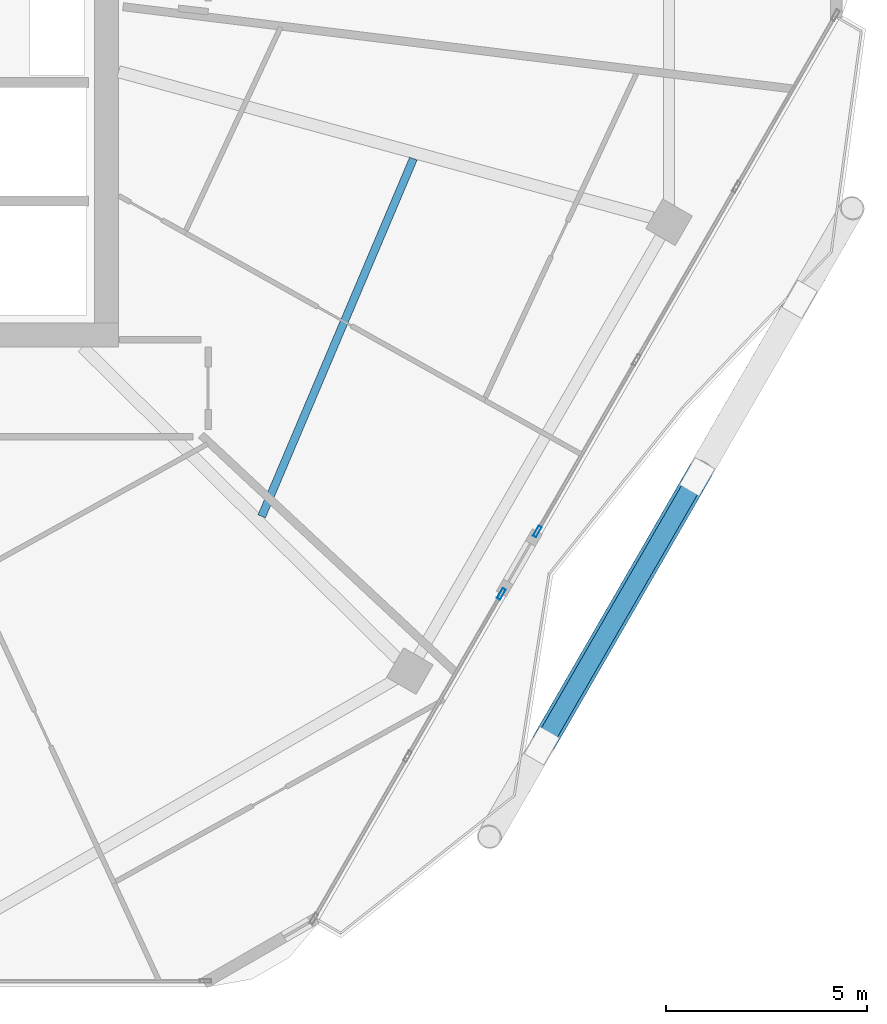
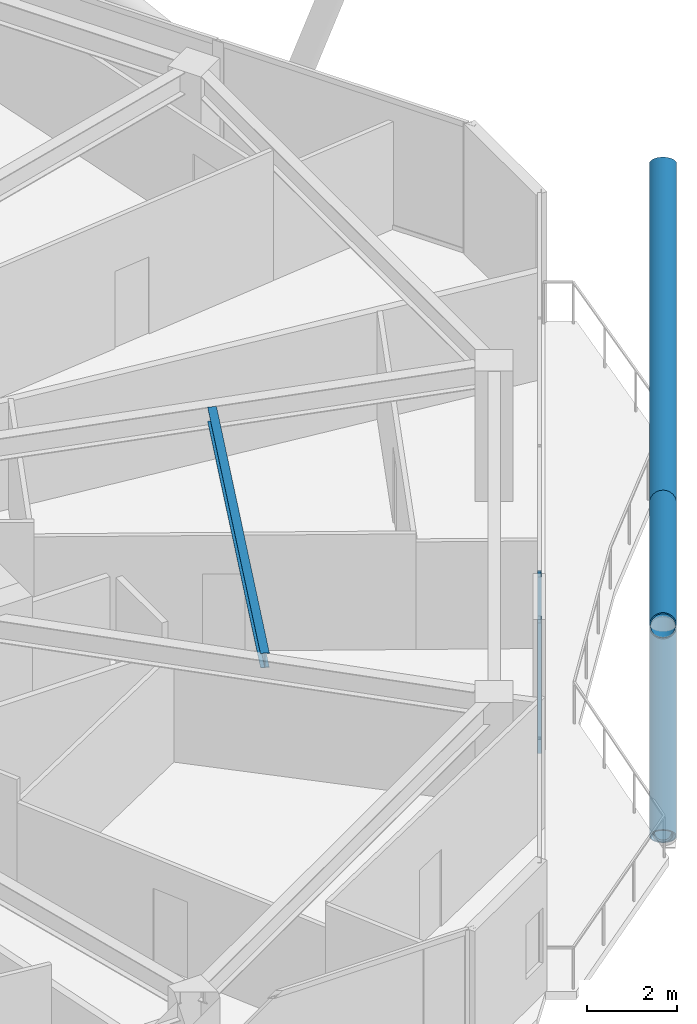
# One storey, part 9 of 29: 5 members, 1 beam, 2 elements without a shape of their own.
"""IFC4 building model written with IfcOpenShell, lengths in metres."""

from ifc_helpers import new_model, si_unit, direction, frame, origin, origin_2d, place, context, subcontext, project, spatial, hollow_rectangle, hollow_circle, i_section, extrude, material, material_profile, profile_set, type_object, element, aggregate, save


model = new_model("IFC4")

# Units and contexts
model_context = context("Model", 3, precision=1e-05, world=origin(), true_north=direction((0.0, 1.0)))
body_context = subcontext(model_context, "Body", "Model", "MODEL_VIEW")
ifc_project = project(units=[si_unit("LENGTHUNIT", "METRE"), si_unit("AREAUNIT", "SQUARE_METRE"), si_unit("VOLUMEUNIT", "CUBIC_METRE"), si_unit("PLANEANGLEUNIT", "RADIAN"), si_unit("MASSUNIT", "GRAM", prefix="KILO")], contexts=[model_context])

# Site, building, storey
site_placement = place(None, origin())
site = spatial("IfcSite", under=ifc_project, at=site_placement, CompositionType="ELEMENT")
building_placement = place(site_placement, origin())
building = spatial("IfcBuilding", under=site, at=building_placement, Name="Zuhravey Tower", CompositionType="ELEMENT")
storey_placement = place(building_placement, frame((0.0, 0.0, 269.199951171875)))
storey = spatial("IfcBuildingStorey", under=building, at=storey_placement, Name="L68", CompositionType="ELEMENT", Elevation=269.199951171875)

# Curtain wall, member
ifc_material_1 = material(Name="Thermally broken anodised aluminium", Category="aluminium")
curtain_wall_type = type_object("IfcCurtainWallType", Name="Zone 3-4 High-Rise Curtain Wall CW4", PredefinedType="NOTDEFINED", material=ifc_material_1)
curtain_wall_1_placement = place(storey_placement, origin())
curtain_wall_1 = element("IfcCurtainWall", 1, at=curtain_wall_1_placement, inside=storey, type_object=curtain_wall_type, Name="L68 CW4 CW-L68-F6-1", PredefinedType="NOTDEFINED")
ifc_material_2 = material(Name="Anodised aluminium", Category="aluminium")
ifc_material_profile_1 = material_profile(ifc_material_2, hollow_rectangle(XDim=0.090087890625, YDim=0.284912109375, WallThickness=0.0048828125, at=origin_2d()), Name="ALU-RHS-90x285x5")
ifc_profile_set_1 = profile_set([ifc_material_profile_1], Name="Anodised aluminium")
member_type_1 = type_object("IfcMemberType", Name="Curtain-Wall Mullion 90x180", PredefinedType="MULLION", material=ifc_profile_set_1)
member_1_placement = place(storey_placement, frame((57.21240234375, 17.613525390625, 0.0), z_axis=(0.0, 0.0, 1.0), x_axis=(0.866026101514, -0.499998791495, 0.0)))
member_1 = element("IfcMember", 2, at=member_1_placement, type_object=member_type_1, Name="CW4 mullion 4", PredefinedType="MULLION", context=body_context, shape_type="SweptSolid", body=[
    extrude(hollow_rectangle(XDim=0.090087890625, YDim=0.284912109375, WallThickness=0.0048828125, at=origin_2d()), origin(), (0.0, 0.0, 1.0), 3.550048828125),
])
aggregate(curtain_wall_1, [member_1])

curtain_wall_2_placement = place(storey_placement, origin())
curtain_wall_2 = element("IfcCurtainWall", 3, at=curtain_wall_2_placement, inside=storey, type_object=curtain_wall_type, Name="L68 CW4 CW-L68-F6-2", PredefinedType="NOTDEFINED")
member_2_placement = place(storey_placement, frame((56.3173828125, 16.063232421875, 0.0), z_axis=(0.0, 0.0, 1.0), x_axis=(0.866023917511, -0.500002574293, 0.0)))
member_2 = element("IfcMember", 4, at=member_2_placement, type_object=member_type_1, Name="CW4 mullion 1", PredefinedType="MULLION", context=body_context, shape_type="SweptSolid", body=[
    extrude(hollow_rectangle(XDim=0.090087890625, YDim=0.284912109375, WallThickness=0.0048828125, at=origin_2d()), origin(), (0.0, 0.0, 1.0), 3.550048828125),
])
aggregate(curtain_wall_2, [member_2])

# Members
ifc_material_3 = material(Name="Steel SM355", Category="steel")
ifc_material_profile_2 = material_profile(ifc_material_3, hollow_circle(Radius=0.228515625, WallThickness=0.02197265625, at=origin_2d()), Name="CHS-457.2x22")
ifc_profile_set_2 = profile_set([ifc_material_profile_2], Name="Steel SM355")
member_type_2 = type_object("IfcMemberType", Name="Exoskeleton Ring Tie CHS457x22", PredefinedType="CHORD", material=ifc_profile_set_2)
member_3_placement = place(storey_placement, frame((57.39501953125, 12.41015625, -0.4638671875), z_axis=(0.50000793057, 0.866020825019, 0.0), x_axis=(-0.866020825019, 0.50000793057, 0.0)))
element("IfcMember", 5, at=member_3_placement, inside=storey, type_object=member_type_2, Name="L68 Exoskeleton Face 6 Tie EXR1", PredefinedType="CHORD", context=body_context, shape_type="SweptSolid", body=[
    extrude(hollow_circle(Radius=0.228515625, WallThickness=0.02197265625, at=origin_2d()), origin(), (0.0, 0.0, 1.0), 12.535400390625),
])
ifc_material_profile_3 = material_profile(ifc_material_3, hollow_circle(Radius=0.3046875, WallThickness=0.028076171875, at=origin_2d()), Name="CHS-609.6x28")
ifc_profile_set_3 = profile_set([ifc_material_profile_3], Name="Steel SM355")
member_type_3 = type_object("IfcMemberType", Name="Exoskeleton Zone 3 Diagrid CHS610x28", PredefinedType="BRACE", material=ifc_profile_set_3)
member_4_placement = place(storey_placement, frame((57.34326171875, 12.320556640625, -0.446044921875), z_axis=(0.448584334027, 0.776956905635, 0.44171264647), x_axis=(-0.866021515814, 0.500006734102, 0.0)))
element("IfcMember", 6, at=member_4_placement, inside=storey, type_object=member_type_3, Name="L68 Face 6 Diagrid Brace 2", PredefinedType="BRACE", context=body_context, shape_type="SweptSolid", body=[
    extrude(hollow_circle(Radius=0.3046875, WallThickness=0.028076171875, at=origin_2d()), origin(), (0.0, 0.0, 1.0), 17.124755859375),
])
member_5_placement = place(storey_placement, frame((61.0458984375, 18.7333984375, 3.437744140625), z_axis=(-0.469306285882, -0.812862261066, 0.344973266451), x_axis=(0.866025385035, -0.500000032475, 0.0)))
element("IfcMember", 7, at=member_5_placement, inside=storey, type_object=member_type_3, Name="L68 Face 6 Split Diagrid Brace 3B", PredefinedType="BRACE", context=body_context, shape_type="SweptSolid", body=[
    extrude(hollow_circle(Radius=0.3046875, WallThickness=0.028076171875, at=origin_2d()), origin(), (0.0, 0.0, 1.0), 10.679931640625),
])

# Beam
ifc_material_profile_4 = material_profile(ifc_material_3, i_section(OverallWidth=0.199951171875, OverallDepth=0.39990234375, WebThickness=0.008056640625, FlangeThickness=0.012939453125, at=origin_2d()), Name="H-400x200x8x13")
ifc_profile_set_4 = profile_set([ifc_material_profile_4], Name="Steel SM355")
beam_type = type_object("IfcBeamType", Name="Secondary Floor Joist H400x200", PredefinedType="JOIST", material=ifc_profile_set_4)
beam_placement = place(storey_placement, frame((50.36083984375, 17.990966796875, 3.35009765625), z_axis=(0.390413493754, 0.920639616731, 0.0), x_axis=(-0.920639616731, 0.390413493754, 0.0)))
element("IfcBeam", 8, at=beam_placement, inside=storey, type_object=beam_type, Name="L68 SJ2 BM-L68-SJ-11-1", PredefinedType="JOIST", context=body_context, shape_type="SweptSolid", body=[
    extrude(i_section(OverallWidth=0.199951171875, OverallDepth=0.39990234375, WebThickness=0.008056640625, FlangeThickness=0.012939453125, at=origin_2d()), origin(), (0.0, 0.0, 1.0), 9.656494140625),
])

save(model, "model.ifc")
